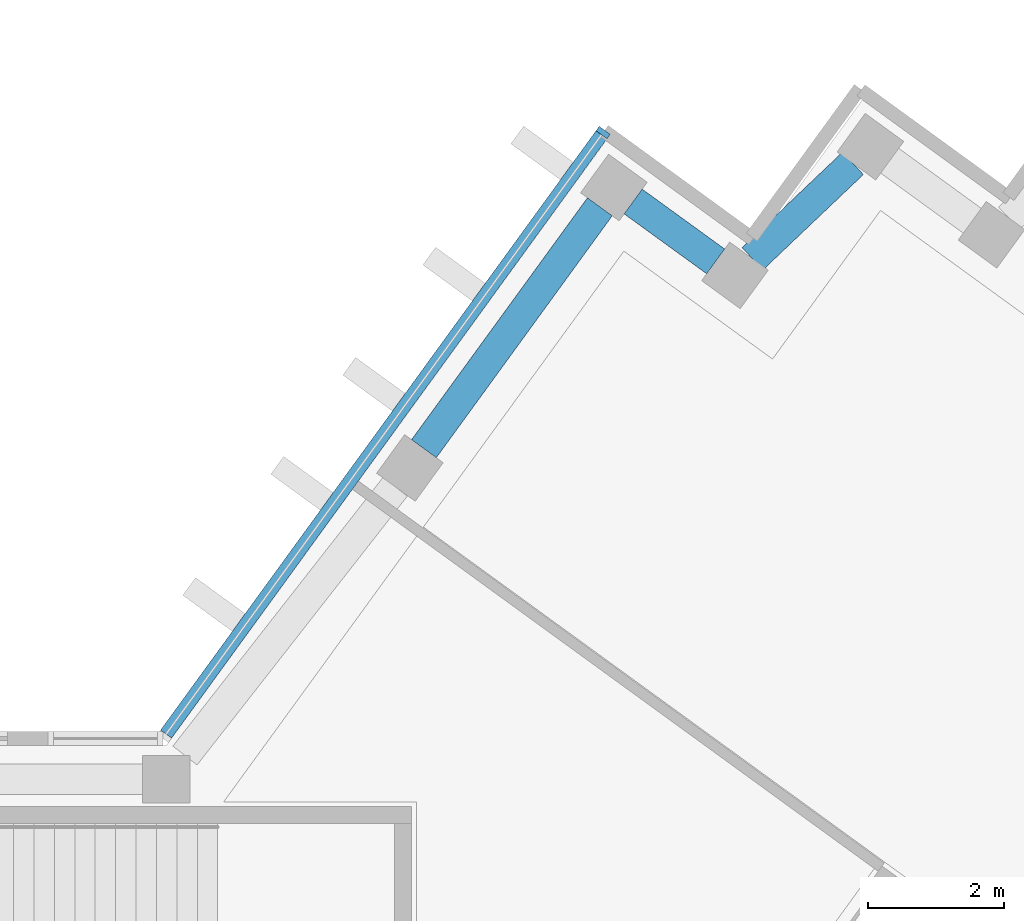
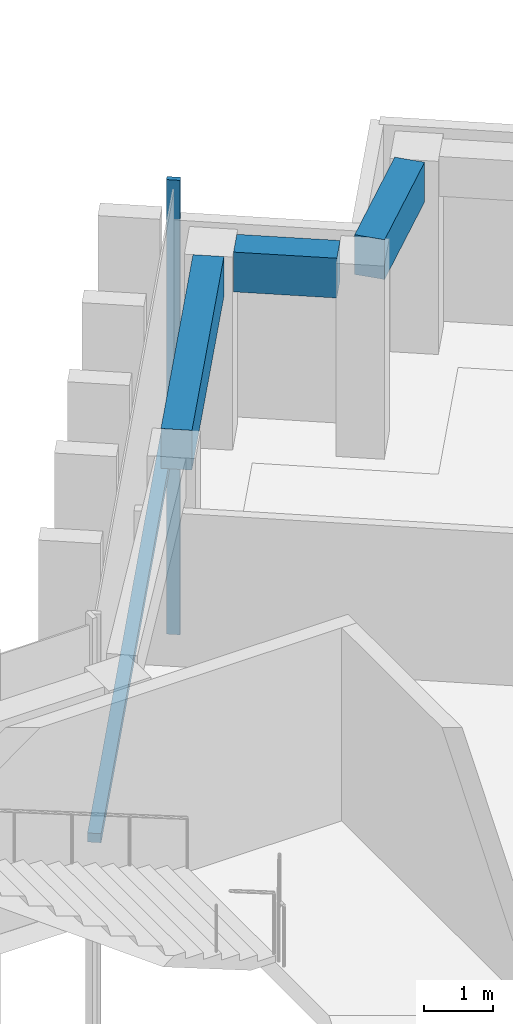
# One storey, part 4 of 13: 3 beams, 2 members, 1 element without a shape of its own.
"""IFC4 building model written with IfcOpenShell, lengths in metres."""

from ifc_helpers import new_model, si_unit, direction, frame, origin, origin_2d, place, context, subcontext, project, spatial, rectangle, extrude, material, material_profile, profile_set, type_object, element, aggregate, save


model = new_model("IFC4")

# Units and contexts
model_context = context("Model", 3, precision=1e-05, world=origin(), true_north=direction((0.0, 1.0)))
body_context = subcontext(model_context, "Body", "Model", "MODEL_VIEW")
ifc_project = project(units=[si_unit("LENGTHUNIT", "METRE"), si_unit("AREAUNIT", "SQUARE_METRE"), si_unit("VOLUMEUNIT", "CUBIC_METRE"), si_unit("PLANEANGLEUNIT", "RADIAN"), si_unit("MASSUNIT", "GRAM", prefix="KILO")], contexts=[model_context])

# Site, building, storey
site_placement = place(None, origin())
site = spatial("IfcSite", under=ifc_project, at=site_placement, CompositionType="ELEMENT")
building_placement = place(site_placement, origin())
building = spatial("IfcBuilding", under=site, at=building_placement, Name="Quipu Civic Tower", CompositionType="ELEMENT")
storey_placement = place(building_placement, frame((0.0, 0.0, 297.0)))
storey = spatial("IfcBuildingStorey", under=building, at=storey_placement, Name="L69", CompositionType="ELEMENT", Elevation=297.0)

# Curtain wall, member
ifc_material_1 = material(Name="Insulated glass unit", Category="glass")
curtain_wall_type = type_object("IfcCurtainWallType", Name="Office curtain wall CW1", PredefinedType="NOTDEFINED", material=ifc_material_1)
curtain_wall_placement = place(storey_placement, origin())
curtain_wall = element("IfcCurtainWall", 1, at=curtain_wall_placement, inside=storey, type_object=curtain_wall_type, Name="Office curtain wall CW1 L68 run 33", PredefinedType="NOTDEFINED")
ifc_material_2 = material(Name="Anodised aluminium", Category="aluminium")
ifc_material_profile_1 = material_profile(ifc_material_2, rectangle(XDim=0.199951171875, YDim=0.080078125, at=origin_2d()), Name="RECT 200x80")
ifc_profile_set_1 = profile_set([ifc_material_profile_1], Name="Anodised aluminium")
member_type_1 = type_object("IfcMemberType", Name="Mullion CW1", PredefinedType="MULLION", material=ifc_profile_set_1)
member_1_placement = place(storey_placement, frame((20.8125, 20.002685546875, -3.919921875), z_axis=(0.0, 0.0, 1.0), x_axis=(0.809015163947, -0.587787771652, 0.0)))
member_1 = element("IfcMember", 2, at=member_1_placement, type_object=member_type_1, Name="CW1 mullion 1", PredefinedType="MULLION", context=body_context, shape_type="SweptSolid", body=[
    extrude(rectangle(XDim=0.199951171875, YDim=0.080078125, at=origin_2d()), origin(), (0.0, 0.0, 1.0), 8.0),
])

# Beams
ifc_material_3 = material(Name="Concrete C50/60", Category="concrete")
ifc_material_profile_2 = material_profile(ifc_material_3, rectangle(XDim=0.449951171875, YDim=0.699951171875, at=origin_2d()), Name="RC450x700")
ifc_profile_set_2 = profile_set([ifc_material_profile_2], Name="Concrete C50/60")
beam_type = type_object("IfcBeamType", Name="Spandrel beam RC 450x700 C50/60", PredefinedType="SPANDREL", material=ifc_profile_set_2)
beam_1_placement = place(storey_placement, frame((24.48193359375, 19.5498046875, 3.050048828125), z_axis=(-0.72511931772, -0.6886232461, 0.0), x_axis=(0.6886232461, -0.72511931772, 0.0)))
element("IfcBeam", 3, at=beam_1_placement, inside=storey, type_object=beam_type, Name="Spandrel beam L69 T-Ei.2-E22 to T-Ei.3-E22", PredefinedType="SPANDREL", context=body_context, shape_type="SweptSolid", body=[
    extrude(rectangle(XDim=0.449951171875, YDim=0.699951171875, at=origin_2d()), origin(), (0.0, 0.0, 1.0), 2.03369140625),
])
beam_2_placement = place(storey_placement, frame((22.466064453125, 18.10986328125, 3.050048828125), z_axis=(-0.809461336076, 0.587173181776, 0.0), x_axis=(-0.587173181776, -0.809461336076, 0.0)))
element("IfcBeam", 4, at=beam_2_placement, inside=storey, type_object=beam_type, Name="Spandrel beam L69 T-Ei.3-E22 to T-Ei.4-E22", PredefinedType="SPANDREL", context=body_context, shape_type="SweptSolid", body=[
    extrude(rectangle(XDim=0.449951171875, YDim=0.699951171875, at=origin_2d()), origin(), (0.0, 0.0, 1.0), 1.498046875),
])
beam_3_placement = place(storey_placement, frame((20.76416015625, 18.911865234375, 3.050048828125), z_axis=(-0.588201428764, -0.808714460857, 0.0), x_axis=(0.808714460857, -0.588201428764, 0.0)))
element("IfcBeam", 5, at=beam_3_placement, inside=storey, type_object=beam_type, Name="Spandrel beam L69 T-Ei.4-E22 to E-IN-01", PredefinedType="SPANDREL", context=body_context, shape_type="SweptSolid", body=[
    extrude(rectangle(XDim=0.449951171875, YDim=0.699951171875, at=origin_2d()), origin(), (0.0, 0.0, 1.0), 4.394287109375),
])

# Member
ifc_material_4 = material(Name="Anodised aluminium", Category="aluminium")
ifc_material_profile_3 = material_profile(ifc_material_4, rectangle(XDim=0.199951171875, YDim=0.159912109375, at=origin_2d()), Name="RECT 200x160")
ifc_profile_set_3 = profile_set([ifc_material_profile_3], Name="Anodised aluminium")
member_type_2 = type_object("IfcMemberType", Name="Transom CW1", PredefinedType="USERDEFINED", material=ifc_profile_set_3)
member_2_placement = place(storey_placement, frame((20.788818359375, 19.97021484375, 0.080078125), z_axis=(-0.587796859727, -0.809008560953, 0.0), x_axis=(0.809008560953, -0.587796859727, 0.0)))
member_2 = element("IfcMember", 6, at=member_2_placement, type_object=member_type_2, Name="CW1 transom 1.2", ObjectType="TRANSOM", PredefinedType="USERDEFINED", context=body_context, shape_type="SweptSolid", body=[
    extrude(rectangle(XDim=0.199951171875, YDim=0.159912109375, at=origin_2d()), origin(), (0.0, 0.0, 1.0), 10.88427734375),
])

aggregate(curtain_wall, [member_1, member_2])

save(model, "model.ifc")
